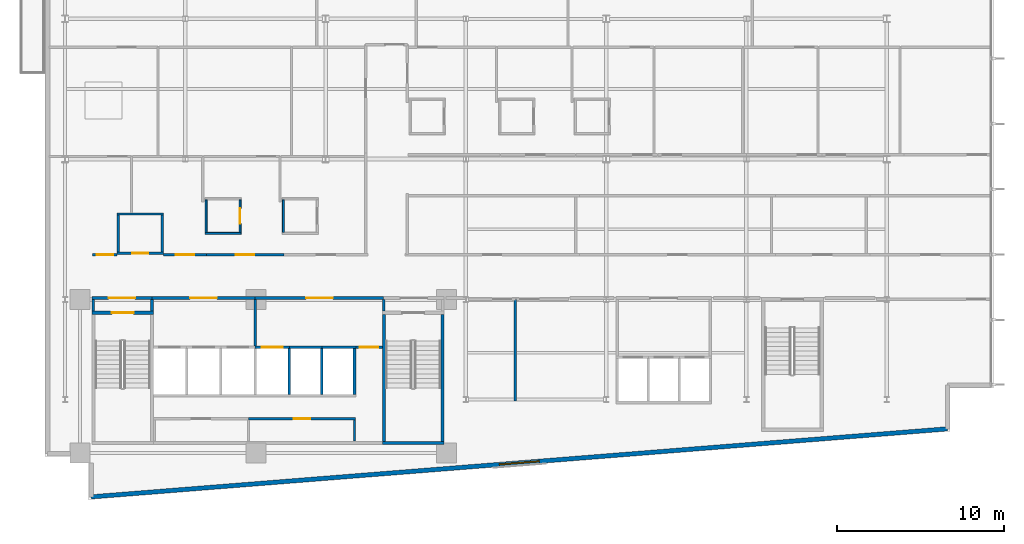
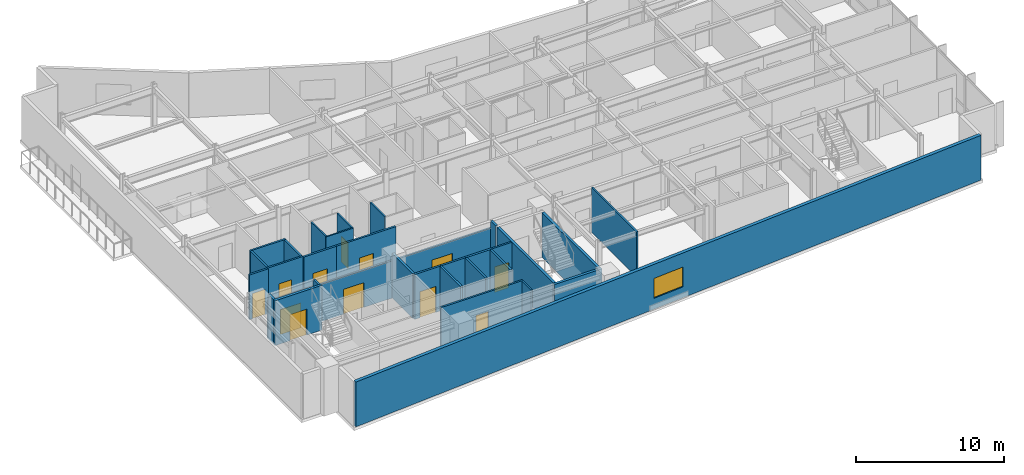
# One storey, part 10 of 19: 33 walls, 12 doors, 1 window, 13 openings.
"""IFC4 building model written with IfcOpenShell, lengths in metres."""

from ifc_helpers import new_model, si_unit, direction, frame, frame_2d, origin, place, context, subcontext, project, spatial, rectangle, extrude, material, layer, layer_set, type_object, element, fill, save


model = new_model("IFC4")

# Units and contexts
model_context = context("Model", 3, precision=1e-05, world=origin(), true_north=direction((0.0, 1.0)))
body_context = subcontext(model_context, "Body", "Model", "MODEL_VIEW")
ifc_project = project(units=[si_unit("LENGTHUNIT", "METRE"), si_unit("AREAUNIT", "SQUARE_METRE"), si_unit("VOLUMEUNIT", "CUBIC_METRE"), si_unit("PLANEANGLEUNIT", "RADIAN"), si_unit("MASSUNIT", "GRAM", prefix="KILO")], contexts=[model_context])

# Site, building, storey
site_placement = place(None, origin())
site = spatial("IfcSite", under=ifc_project, at=site_placement, CompositionType="ELEMENT")
building_placement = place(site_placement, origin())
building = spatial("IfcBuilding", under=site, at=building_placement, Name="Varnakote Quay Hospital", CompositionType="ELEMENT")
storey_placement = place(building_placement, frame((0.0, 0.0, 162.60009765625)))
storey = spatial("IfcBuildingStorey", under=building, at=storey_placement, Name="L40", CompositionType="ELEMENT", Elevation=162.60009765625)

# Wall
ifc_material_1 = material(Name="Fire-rated acoustic gypsum stud wall", Category="gypsum")
ifc_layer_1 = layer(ifc_material_1, 0.159912109375)
ifc_layer_set_1 = layer_set([ifc_layer_1], Name="Fire-rated acoustic gypsum stud wall")
wall_type_1 = type_object("IfcWallType", Name="WL-COMP-160", PredefinedType="PARTITIONING", material=ifc_layer_set_1)
wall_1_placement = place(storey_placement, frame((2.8798828125, 11.300048828125, 0.0), z_axis=(0.0, 0.0, 1.0), x_axis=(0.0, 1.0, 0.0)))
element("IfcWall", 1, at=wall_1_placement, inside=storey, type_object=wall_type_1, Name="L40 West Stair Vestibule West Wall", PredefinedType="PARTITIONING", context=body_context, shape_type="SweptSolid", body=[
    extrude(rectangle(XDim=0.699951171875, YDim=0.159912109375, at=frame_2d((0.35009765625, 0.0))), origin(), (0.0, 0.0, 1.0), 3.7099609375),
])

# Wall, opening, door
wall_2_placement = place(storey_placement, frame((2.800048828125, 12.080078125, 0.0), z_axis=(0.0, 0.0, 1.0), x_axis=(1.0, 0.0, 0.0)))
wall_2 = element("IfcWall", 2, at=wall_2_placement, inside=storey, type_object=wall_type_1, Name="L40 West Stair Vestibule Smoke Wall", PredefinedType="PARTITIONING", context=body_context, shape_type="SweptSolid", body=[
    extrude(rectangle(XDim=3.599853515625, YDim=0.159912109375, at=frame_2d((1.7998046875, 0.0))), origin(), (0.0, 0.0, 1.0), 3.0830078125),
])
opening_1_placement = place(wall_2_placement, frame((1.0, 0.0, 0.0)))
opening_1 = element("IfcOpeningElement", 3, at=opening_1_placement, cuts=wall_2, Name="Opening D-ST1L-L40", PredefinedType="OPENING", context=body_context, shape_type="SweptSolid", body=[
    extrude(rectangle(XDim=1.60009765625, YDim=2.050048828125, at=frame_2d((0.800048828125, 1.02490234375))), frame((0.0, 0.08984375, 0.0), z_axis=(0.0, -1.0, 0.0), x_axis=(1.0, 0.0, 0.0)), (0.0, 0.0, 1.0), 0.179931640625),
])
ifc_material_2 = material(Name="Fire-rated double smoke lobby door")
door_type_1 = type_object("IfcDoorType", Name="DR-LOBBY-FD60S-1600x2150", OperationType="NOTDEFINED", PredefinedType="DOOR", material=ifc_material_2)
door_1_placement = place(opening_1_placement, origin())
door_1 = element("IfcDoor", 4, at=door_1_placement, inside=storey, type_object=door_type_1, Name="L40 West Stair Vestibule Smoke Door", OperationType="DOUBLE_DOOR_SINGLE_SWING", OverallHeight=2.050048828125, OverallWidth=1.60009765625, PredefinedType="DOOR", context=body_context, shape_type="SweptSolid", body=[
    extrude(rectangle(XDim=1.60009765625, YDim=2.050048828125, at=frame_2d((0.800048828125, 1.02490234375))), frame((0.0, 0.02490234375, 0.0), z_axis=(0.0, -1.0, 0.0), x_axis=(1.0, 0.0, 0.0)), (0.0, 0.0, 1.0), 0.050048828125),
])
fill(opening_1, door_1)

# Wall
wall_3_placement = place(storey_placement, frame((6.39990234375, 11.300048828125, 0.0), z_axis=(0.0, 0.0, 1.0), x_axis=(0.0, 1.0, 0.0)))
element("IfcWall", 5, at=wall_3_placement, inside=storey, type_object=wall_type_1, Name="L40 Firefighting Lobby West Wall", PredefinedType="PARTITIONING", context=body_context, shape_type="SweptSolid", body=[
    extrude(rectangle(XDim=0.699951171875, YDim=0.159912109375, at=frame_2d((0.35009765625, 0.0))), origin(), (0.0, 0.0, 1.0), 3.7099609375),
])

# Wall, opening, door
wall_4_placement = place(storey_placement, frame((6.39990234375, 12.080078125, 0.0), z_axis=(0.0, 0.0, 1.0), x_axis=(1.0, 0.0, 0.0)))
wall_4 = element("IfcWall", 6, at=wall_4_placement, inside=storey, type_object=wall_type_1, Name="L40 Firefighting Lift Lobby Compartment Wall", PredefinedType="PARTITIONING", context=body_context, shape_type="SweptSolid", body=[
    extrude(rectangle(XDim=6.18017578125, YDim=0.159912109375, at=frame_2d((3.090087890625, 0.0))), origin(), (0.0, 0.0, 1.0), 3.0830078125),
])
opening_2_placement = place(wall_4_placement, frame((2.2900390625, 0.0, 0.0)))
opening_2 = element("IfcOpeningElement", 7, at=opening_2_placement, cuts=wall_4, Name="Opening D-FFL-L40", PredefinedType="OPENING", context=body_context, shape_type="SweptSolid", body=[
    extrude(rectangle(XDim=1.60009765625, YDim=2.050048828125, at=frame_2d((0.800048828125, 1.02490234375))), frame((0.0, 0.08984375, 0.0), z_axis=(0.0, -1.0, 0.0), x_axis=(1.0, 0.0, 0.0)), (0.0, 0.0, 1.0), 0.179931640625),
])
door_2_placement = place(opening_2_placement, origin())
door_2 = element("IfcDoor", 8, at=door_2_placement, inside=storey, type_object=door_type_1, Name="L40 Firefighting Smoke Vestibule Door", OperationType="DOUBLE_DOOR_SINGLE_SWING", OverallHeight=2.050048828125, OverallWidth=1.60009765625, PredefinedType="DOOR", context=body_context, shape_type="SweptSolid", body=[
    extrude(rectangle(XDim=1.60009765625, YDim=2.050048828125, at=frame_2d((0.800048828125, 1.02490234375))), frame((0.0, 0.02490234375, 0.0), z_axis=(0.0, -1.0, 0.0), x_axis=(1.0, 0.0, 0.0)), (0.0, 0.0, 1.0), 0.050048828125),
])
fill(opening_2, door_2)

# Wall
wall_5_placement = place(storey_placement, frame((12.580078125, 9.2099609375, 0.0), z_axis=(0.0, 0.0, 1.0), x_axis=(0.0, 1.0, 0.0)))
element("IfcWall", 9, at=wall_5_placement, inside=storey, type_object=wall_type_1, Name="L40 Firefighting to Service Lobby Wall", PredefinedType="PARTITIONING", context=body_context, shape_type="SweptSolid", body=[
    extrude(rectangle(XDim=2.7900390625, YDim=0.159912109375, at=frame_2d((1.39501953125, 0.0))), origin(), (0.0, 0.0, 1.0), 3.7099609375),
])

# Wall, opening, door
wall_6_placement = place(storey_placement, frame((12.580078125, 12.080078125, 0.0), z_axis=(0.0, 0.0, 1.0), x_axis=(1.0, 0.0, 0.0)))
wall_6 = element("IfcWall", 10, at=wall_6_placement, inside=storey, type_object=wall_type_1, Name="L40 Clinical Bed Lift Lobby Wall", PredefinedType="PARTITIONING", context=body_context, shape_type="SweptSolid", body=[
    extrude(rectangle(XDim=7.699951171875, YDim=0.159912109375, at=frame_2d((3.85009765625, 0.0))), origin(), (0.0, 0.0, 1.0), 3.0830078125),
])
opening_3_placement = place(wall_6_placement, frame((3.050048828125, 0.0, 0.0)))
opening_3 = element("IfcOpeningElement", 11, at=opening_3_placement, cuts=wall_6, Name="Opening D-SVL-L40", PredefinedType="OPENING", context=body_context, shape_type="SweptSolid", body=[
    extrude(rectangle(XDim=1.60009765625, YDim=2.050048828125, at=frame_2d((0.800048828125, 1.02490234375))), frame((0.0, 0.08984375, 0.0), z_axis=(0.0, -1.0, 0.0), x_axis=(1.0, 0.0, 0.0)), (0.0, 0.0, 1.0), 0.179931640625),
])
door_3_placement = place(opening_3_placement, origin())
door_3 = element("IfcDoor", 12, at=door_3_placement, inside=storey, type_object=door_type_1, Name="L40 Clinical Core Smoke Vestibule Door", OperationType="DOUBLE_DOOR_SINGLE_SWING", OverallHeight=2.050048828125, OverallWidth=1.60009765625, PredefinedType="DOOR", context=body_context, shape_type="SweptSolid", body=[
    extrude(rectangle(XDim=1.60009765625, YDim=2.050048828125, at=frame_2d((0.800048828125, 1.02490234375))), frame((0.0, 0.02490234375, 0.0), z_axis=(0.0, -1.0, 0.0), x_axis=(1.0, 0.0, 0.0)), (0.0, 0.0, 1.0), 0.050048828125),
])
fill(opening_3, door_3)

# Walls
wall_7_placement = place(storey_placement, frame((20.280029296875, 11.300048828125, 0.0), z_axis=(0.0, 0.0, 1.0), x_axis=(0.0, 1.0, 0.0)))
element("IfcWall", 13, at=wall_7_placement, inside=storey, type_object=wall_type_1, Name="L40 East Stair Vestibule Divider Wall", PredefinedType="PARTITIONING", context=body_context, shape_type="SweptSolid", body=[
    extrude(rectangle(XDim=0.699951171875, YDim=0.159912109375, at=frame_2d((0.35009765625, 0.0))), origin(), (0.0, 0.0, 1.0), 3.7099609375),
])
ifc_material_3 = material(Name="Moisture-resistant bathroom partition", Category="gypsum")
ifc_layer_2 = layer(ifc_material_3, 0.114990234375)
ifc_layer_set_2 = layer_set([ifc_layer_2], Name="Moisture-resistant bathroom partition")
wall_type_2 = type_object("IfcWallType", Name="WL-ENS-115", PredefinedType="PARTITIONING", material=ifc_layer_set_2)
wall_8_placement = place(storey_placement, frame((9.5849609375, 15.952392578125, 0.0), z_axis=(0.0, 0.0, 1.0), x_axis=(1.0, 0.0, 0.0)))
element("IfcWall", 14, at=wall_8_placement, inside=storey, type_object=wall_type_2, Name="L40 Inpatient En-Suite Bathroom 01 S Wall", PredefinedType="PARTITIONING", context=body_context, shape_type="SweptSolid", body=[
    extrude(rectangle(XDim=2.150146484375, YDim=0.114990234375, at=frame_2d((1.0751953125, 0.0))), origin(), (0.0, 0.0, 1.0), 3.7099609375),
])
wall_9_placement = place(storey_placement, frame((9.642578125, 16.010009765625, 0.0), z_axis=(0.0, 0.0, 1.0), x_axis=(0.0, 1.0, 0.0)))
element("IfcWall", 15, at=wall_9_placement, inside=storey, type_object=wall_type_2, Name="L40 Inpatient En-Suite Bathroom 01 W Wall", PredefinedType="PARTITIONING", context=body_context, shape_type="SweptSolid", body=[
    extrude(rectangle(XDim=1.949951171875, YDim=0.114990234375, at=frame_2d((0.97509765625, 0.0))), origin(), (0.0, 0.0, 1.0), 3.7099609375),
])

# Wall, opening, door
wall_10_placement = place(storey_placement, frame((11.677490234375, 16.010009765625, 0.0), z_axis=(0.0, 0.0, 1.0), x_axis=(0.0, 1.0, 0.0)))
wall_10 = element("IfcWall", 16, at=wall_10_placement, inside=storey, type_object=wall_type_2, Name="L40 Inpatient En-Suite Bathroom 01 E Wall", PredefinedType="PARTITIONING", context=body_context, shape_type="SweptSolid", body=[
    extrude(rectangle(XDim=1.949951171875, YDim=0.114990234375, at=frame_2d((0.97509765625, 0.0))), origin(), (0.0, 0.0, 1.0), 3.7099609375),
])
opening_4_placement = place(wall_10_placement, frame((0.514892578125, 0.0, 0.0)))
opening_4 = element("IfcOpeningElement", 17, at=opening_4_placement, cuts=wall_10, Name="Opening D-L40-ENS01", PredefinedType="OPENING", context=body_context, shape_type="SweptSolid", body=[
    extrude(rectangle(XDim=0.919921875, YDim=2.10009765625, at=frame_2d((0.4599609375, 1.050048828125))), frame((0.0, 0.0673828125, 0.0), z_axis=(0.0, -1.0, 0.0), x_axis=(1.0, 0.0, 0.0)), (0.0, 0.0, 1.0), 0.135009765625),
])
ifc_material_4 = material(Name="Moisture-sealed en-suite bathroom door")
door_type_2 = type_object("IfcDoorType", Name="DR-ENS-920x2100", OperationType="NOTDEFINED", PredefinedType="DOOR", material=ifc_material_4)
door_4_placement = place(opening_4_placement, origin())
door_4 = element("IfcDoor", 18, at=door_4_placement, inside=storey, type_object=door_type_2, Name="L40 Inpatient En-Suite Bathroom 01 Door", OperationType="SINGLE_SWING_LEFT", OverallHeight=2.10009765625, OverallWidth=0.919921875, PredefinedType="DOOR", context=body_context, shape_type="SweptSolid", body=[
    extrude(rectangle(XDim=0.919921875, YDim=2.10009765625, at=frame_2d((0.4599609375, 1.050048828125))), frame((0.0, 0.02490234375, 0.0), z_axis=(0.0, -1.0, 0.0), x_axis=(1.0, 0.0, 0.0)), (0.0, 0.0, 1.0), 0.050048828125),
])
fill(opening_4, door_4)

# Wall
wall_11_placement = place(storey_placement, frame((14.2724609375, 16.010009765625, 0.0), z_axis=(0.0, 0.0, 1.0), x_axis=(0.0, 1.0, 0.0)))
element("IfcWall", 19, at=wall_11_placement, inside=storey, type_object=wall_type_2, Name="L40 Inpatient En-Suite Bathroom 02 W Wall", PredefinedType="PARTITIONING", context=body_context, shape_type="SweptSolid", body=[
    extrude(rectangle(XDim=1.949951171875, YDim=0.114990234375, at=frame_2d((0.97509765625, 0.0))), origin(), (0.0, 0.0, 1.0), 3.7099609375),
])

# Wall, opening, window
ifc_material_5 = material(Name="Precast concrete N50 (f'c 50 MPa)", Category="concrete")
ifc_layer_3 = layer(ifc_material_5, 0.260009765625)
ifc_layer_set_3 = layer_set([ifc_layer_3], Name="Precast concrete N50 (f'c 50 MPa)")
wall_type_3 = type_object("IfcWallType", Name="WL-EXT-BRICK-260", PredefinedType="STANDARD", material=ifc_layer_set_3)
wall_12_placement = place(storey_placement, frame((2.760009765625, 0.173095703125, 0.0), z_axis=(0.0, 0.0, 1.0), x_axis=(0.996857931723, 0.079210251617, 0.0)))
wall_12 = element("IfcWall", 20, at=wall_12_placement, inside=storey, type_object=wall_type_3, Name="L40 Brick-Faced Precast Exterior Wall", PredefinedType="STANDARD", context=body_context, shape_type="SweptSolid", body=[
    extrude(rectangle(XDim=51.441650390625, YDim=0.260009765625, at=frame_2d((25.720703125, 0.0))), origin(), (0.0, 0.0, 1.0), 3.7099609375),
])
opening_5_placement = place(wall_12_placement, frame((24.520751953125, 0.0, 0.89990234375)))
opening_5 = element("IfcOpeningElement", 21, at=opening_5_placement, cuts=wall_12, Name="Opening WN-0170", PredefinedType="OPENING", context=body_context, shape_type="SweptSolid", body=[
    extrude(rectangle(XDim=2.39990234375, YDim=1.64990234375, at=frame_2d((1.199951171875, 0.824951171875))), frame((0.0, 0.139892578125, 0.0), z_axis=(0.0, -1.0, 0.0), x_axis=(1.0, 0.0, 0.0)), (0.0, 0.0, 1.0), 0.280029296875),
])
ifc_material_6 = material(Name="Double-glazed low-E solar glass", Category="glass")
window_type = type_object("IfcWindowType", Name="WIN-CLIN-2400x1650", PartitioningType="SINGLE_PANEL", PredefinedType="WINDOW", material=ifc_material_6)
window_placement = place(opening_5_placement, origin())
window = element("IfcWindow", 22, at=window_placement, inside=storey, type_object=window_type, Name="L40 Solar-Control Clinical Window", OverallHeight=1.64990234375, OverallWidth=2.39990234375, PartitioningType="SINGLE_PANEL", PredefinedType="WINDOW", context=body_context, shape_type="SweptSolid", body=[
    extrude(rectangle(XDim=2.39990234375, YDim=1.64990234375, at=frame_2d((1.199951171875, 0.824951171875))), frame((0.0, 0.030029296875, 0.0), z_axis=(0.0, -1.0, 0.0), x_axis=(1.0, 0.0, 0.0)), (0.0, 0.0, 1.0), 0.06005859375),
])
fill(opening_5, window)

# Walls
ifc_material_7 = material(Name="Concrete N50 (f'c 50 MPa)", Category="concrete")
ifc_layer_4 = layer(ifc_material_7, 0.14990234375)
ifc_layer_set_4 = layer_set([ifc_layer_4], Name="Concrete N50 (f'c 50 MPa)")
wall_type_4 = type_object("IfcWallType", Name="WL-SHAFT-N50-150", PredefinedType="SHEAR", material=ifc_layer_set_4)
for number, where, z_axis, x_axis, name in (
    (23, (14.625, 6.300048828125, 0.0), (0.0, 0.0, 1.0), (0.0, 1.0, 0.0), "L40 LF-SV2 Hoistway Divider Wall"),
    (24, (16.574951171875, 6.300048828125, 0.0), (0.0, 0.0, 1.0), (0.0, 1.0, 0.0), "L40 LF-PH1 Hoistway Divider Wall"),
):
    element("IfcWall", number, at=place(storey_placement, frame(where, z_axis=z_axis, x_axis=x_axis)), inside=storey, type_object=wall_type_4, Name=name, PredefinedType="SHEAR", context=body_context, shape_type="SweptSolid", body=[
        extrude(rectangle(XDim=2.75, YDim=0.14990234375, at=frame_2d((1.375, 0.0))), origin(), (0.0, 0.0, 1.0), 3.7099609375),
    ])
ifc_material_8 = material(Name="Concrete N50 (f'c 50 MPa)", Category="concrete")
ifc_layer_5 = layer(ifc_material_8, 0.159912109375)
ifc_layer_set_5 = layer_set([ifc_layer_5], Name="Concrete N50 (f'c 50 MPa)")
wall_type_5 = type_object("IfcWallType", Name="WL-SHAFT-N50-160", PredefinedType="SHEAR", material=ifc_layer_set_5)
wall_13_placement = place(storey_placement, frame((18.530029296875, 6.300048828125, 0.0), z_axis=(0.0, 0.0, 1.0), x_axis=(0.0, 1.0, 0.0)))
element("IfcWall", 25, at=wall_13_placement, inside=storey, type_object=wall_type_5, Name="L40 REAR Lift Bank East Shear Wall", PredefinedType="SHEAR", context=body_context, shape_type="SweptSolid", body=[
    extrude(rectangle(XDim=2.75, YDim=0.159912109375, at=frame_2d((1.375, 0.0))), origin(), (0.0, 0.0, 1.0), 3.7099609375),
])

# Wall, opening, door
wall_14_placement = place(storey_placement, frame((12.574951171875, 9.1298828125, 0.0), z_axis=(0.0, 0.0, 1.0), x_axis=(1.0, 0.0, 0.0)))
wall_14 = element("IfcWall", 26, at=wall_14_placement, inside=storey, type_object=wall_type_5, Name="L40 LF-SV2 Hoistway Front Wall", PredefinedType="SHEAR", context=body_context, shape_type="SweptSolid", body=[
    extrude(rectangle(XDim=2.050048828125, YDim=0.159912109375, at=frame_2d((1.02490234375, 0.0))), origin(), (0.0, 0.0, 1.0), 3.7099609375),
])
opening_6_placement = place(wall_14_placement, frame((0.39990234375, 0.0, 0.0)))
opening_6 = element("IfcOpeningElement", 27, at=opening_6_placement, cuts=wall_14, Name="Opening LD-SV2-L40", PredefinedType="OPENING", context=body_context, shape_type="SweptSolid", body=[
    extrude(rectangle(XDim=1.25, YDim=2.14990234375, at=frame_2d((0.625, 1.074951171875))), frame((0.0, 0.08984375, 0.0), z_axis=(0.0, -1.0, 0.0), x_axis=(1.0, 0.0, 0.0)), (0.0, 0.0, 1.0), 0.179931640625),
])
ifc_material_9 = material(Name="Stainless steel lift landing sliding door", Category="steel")
door_type_3 = type_object("IfcDoorType", Name="DR-LIFT-LD-1250x2150", OperationType="NOTDEFINED", PredefinedType="DOOR", material=ifc_material_9)
door_5_placement = place(opening_6_placement, origin())
door_5 = element("IfcDoor", 28, at=door_5_placement, inside=storey, type_object=door_type_3, Name="L40 LF-SV2 Lift Landing Sliding Door", OperationType="SLIDING_TO_LEFT", OverallHeight=2.14990234375, OverallWidth=1.25, PredefinedType="DOOR", context=body_context, shape_type="SweptSolid", body=[
    extrude(rectangle(XDim=1.25, YDim=2.14990234375, at=frame_2d((0.625, 1.074951171875))), frame((0.0, 0.02490234375, 0.0), z_axis=(0.0, -1.0, 0.0), x_axis=(1.0, 0.0, 0.0)), (0.0, 0.0, 1.0), 0.050048828125),
])
fill(opening_6, door_5)

# Walls
wall_15_placement = place(storey_placement, frame((14.625, 9.1298828125, 0.0), z_axis=(0.0, 0.0, 1.0), x_axis=(1.0, 0.0, 0.0)))
element("IfcWall", 29, at=wall_15_placement, inside=storey, type_object=wall_type_5, Name="L40 LF-PH1 Hoistway Front Wall", PredefinedType="SHEAR", context=body_context, shape_type="SweptSolid", body=[
    extrude(rectangle(XDim=1.949951171875, YDim=0.159912109375, at=frame_2d((0.97509765625, 0.0))), origin(), (0.0, 0.0, 1.0), 3.7099609375),
])
wall_16_placement = place(storey_placement, frame((16.574951171875, 9.1298828125, 0.0), z_axis=(0.0, 0.0, 1.0), x_axis=(1.0, 0.0, 0.0)))
element("IfcWall", 30, at=wall_16_placement, inside=storey, type_object=wall_type_5, Name="L40 LF-PH2 Hoistway Front Wall", PredefinedType="SHEAR", context=body_context, shape_type="SweptSolid", body=[
    extrude(rectangle(XDim=2.03515625, YDim=0.159912109375, at=frame_2d((1.017578125, 0.0))), origin(), (0.0, 0.0, 1.0), 3.7099609375),
])

# Wall, opening, door
ifc_material_10 = material(Name="Concrete N50 (f'c 50 MPa)", Category="concrete")
ifc_layer_6 = layer(ifc_material_10, 0.199951171875)
ifc_layer_set_6 = layer_set([ifc_layer_6], Name="Concrete N50 (f'c 50 MPa)")
wall_type_6 = type_object("IfcWallType", Name="WL-SHAFT-N50-200", PredefinedType="SHEAR", material=ifc_layer_set_6)
wall_17_placement = place(storey_placement, frame((2.800048828125, 11.199951171875, 0.0), z_axis=(0.0, 0.0, 1.0), x_axis=(1.0, 0.0, 0.0)))
wall_17 = element("IfcWall", 31, at=wall_17_placement, inside=storey, type_object=wall_type_6, Name="L40 Stair ST1 Exit Wall", PredefinedType="SHEAR", context=body_context, shape_type="SweptSolid", body=[
    extrude(rectangle(XDim=3.699951171875, YDim=0.199951171875, at=frame_2d((1.85009765625, 0.0))), origin(), (0.0, 0.0, 1.0), 3.7099609375),
])
opening_7_placement = place(wall_17_placement, frame((1.199951171875, 0.0, 0.0)))
opening_7 = element("IfcOpeningElement", 32, at=opening_7_placement, cuts=wall_17, Name="Opening D-ST1-L40", PredefinedType="OPENING", context=body_context, shape_type="SweptSolid", body=[
    extrude(rectangle(XDim=1.300048828125, YDim=2.14990234375, at=frame_2d((0.64990234375, 1.074951171875))), frame((0.0, 0.10986328125, 0.0), z_axis=(0.0, -1.0, 0.0), x_axis=(1.0, 0.0, 0.0)), (0.0, 0.0, 1.0), 0.219970703125),
])
ifc_material_11 = material(Name="Fire-rated ceramic-glazed timber exit door", Category="wood")
door_type_4 = type_object("IfcDoorType", Name="DR-STAIR-FD60S-1300x2150", OperationType="NOTDEFINED", PredefinedType="DOOR", material=ifc_material_11)
door_6_placement = place(opening_7_placement, origin())
door_6 = element("IfcDoor", 33, at=door_6_placement, inside=storey, type_object=door_type_4, Name="L40 Stair ST1 Fire Exit Door", OperationType="SINGLE_SWING_RIGHT", OverallHeight=2.14990234375, OverallWidth=1.300048828125, PredefinedType="DOOR", context=body_context, shape_type="SweptSolid", body=[
    extrude(rectangle(XDim=1.300048828125, YDim=2.14990234375, at=frame_2d((0.64990234375, 1.074951171875))), frame((0.0, 0.02490234375, 0.0), z_axis=(0.0, -1.0, 0.0), x_axis=(1.0, 0.0, 0.0)), (0.0, 0.0, 1.0), 0.050048828125),
])
fill(opening_7, door_6)

# Walls
wall_18_placement = place(storey_placement, frame((20.199951171875, 3.39990234375, 0.0), z_axis=(0.0, 0.0, 1.0), x_axis=(1.0, 0.0, 0.0)))
element("IfcWall", 34, at=wall_18_placement, inside=storey, type_object=wall_type_6, Name="L40 Stair ST2 South Shaft Wall", PredefinedType="SHEAR", context=body_context, shape_type="SweptSolid", body=[
    extrude(rectangle(XDim=3.699951171875, YDim=0.199951171875, at=frame_2d((1.85009765625, 0.0))), origin(), (0.0, 0.0, 1.0), 3.7099609375),
])
for number, where, z_axis, x_axis, name in (
    (35, (20.300048828125, 3.5, 0.0), (0.0, 0.0, 1.0), (0.0, 1.0, 0.0), "L40 Stair ST2 West Shaft Wall"),
    (36, (23.800048828125, 3.5, 0.0), (0.0, 0.0, 1.0), (0.0, 1.0, 0.0), "L40 Stair ST2 East Shaft Wall"),
):
    element("IfcWall", number, at=place(storey_placement, frame(where, z_axis=z_axis, x_axis=x_axis)), inside=storey, type_object=wall_type_6, Name=name, PredefinedType="SHEAR", context=body_context, shape_type="SweptSolid", body=[
        extrude(rectangle(XDim=7.60009765625, YDim=0.199951171875, at=frame_2d((3.800048828125, 0.0))), origin(), (0.0, 0.0, 1.0), 3.7099609375),
    ])
ifc_material_12 = material(Name="Smoke-proof clinical partition", Category="gypsum")
ifc_layer_7 = layer(ifc_material_12, 0.1201171875)
ifc_layer_set_7 = layer_set([ifc_layer_7], Name="Smoke-proof clinical partition")
wall_type_7 = type_object("IfcWallType", Name="WL-SMOKE-120", PredefinedType="PARTITIONING", material=ifc_layer_set_7)
wall_19_placement = place(storey_placement, frame((18.5400390625, 3.52001953125, 0.0), z_axis=(0.0, 0.0, 1.0), x_axis=(0.0, 1.0, 0.0)))
element("IfcWall", 37, at=wall_19_placement, inside=storey, type_object=wall_type_7, Name="L40 Core South Service East Wall", PredefinedType="PARTITIONING", context=body_context, shape_type="SweptSolid", body=[
    extrude(rectangle(XDim=1.260009765625, YDim=0.1201171875, at=frame_2d((0.6298828125, 0.0))), origin(), (0.0, 0.0, 1.0), 3.7099609375),
])
ifc_material_13 = material(Name="Smoke-proof clinical partition", Category="gypsum")
ifc_layer_8 = layer(ifc_material_13, 0.135009765625)
ifc_layer_set_8 = layer_set([ifc_layer_8], Name="Smoke-proof clinical partition")
wall_type_8 = type_object("IfcWallType", Name="WL-SMOKE-135", PredefinedType="PARTITIONING", material=ifc_layer_set_8)
wall_20_placement = place(storey_placement, frame((28.159912109375, 5.89990234375, 0.0), z_axis=(0.0, 0.0, 1.0), x_axis=(0.0, 1.0, 0.0)))
element("IfcWall", 38, at=wall_20_placement, inside=storey, type_object=wall_type_8, Name="L40 Clinical Interior Partition", PredefinedType="PARTITIONING", context=body_context, shape_type="SweptSolid", body=[
    extrude(rectangle(XDim=6.10009765625, YDim=0.135009765625, at=frame_2d((3.050048828125, 0.0))), origin(), (0.0, 0.0, 1.0), 3.7099609375),
])

# Wall, opening, door
ifc_material_14 = material(Name="Fire-rated clinical gypsum partition", Category="gypsum")
ifc_layer_9 = layer(ifc_material_14, 0.139892578125)
ifc_layer_set_9 = layer_set([ifc_layer_9], Name="Fire-rated clinical gypsum partition")
wall_type_9 = type_object("IfcWallType", Name="WL-WARD-140", PredefinedType="PARTITIONING", material=ifc_layer_set_9)
wall_21_placement = place(storey_placement, frame((12.169921875, 4.85009765625, 0.0), z_axis=(0.0, 0.0, 1.0), x_axis=(1.0, 0.0, 0.0)))
wall_21 = element("IfcWall", 39, at=wall_21_placement, inside=storey, type_object=wall_type_9, Name="L40 Core Staff Sanitary WC North Wall", PredefinedType="PARTITIONING", context=body_context, shape_type="SweptSolid", body=[
    extrude(rectangle(XDim=6.43017578125, YDim=0.139892578125, at=frame_2d((3.215087890625, 0.0))), origin(), (0.0, 0.0, 1.0), 3.7099609375),
])
opening_8_placement = place(wall_21_placement, frame((2.72509765625, 0.0, 0.0)))
opening_8 = element("IfcOpeningElement", 40, at=opening_8_placement, cuts=wall_21, Name="Opening D-L40-CR02", PredefinedType="OPENING", context=body_context, shape_type="SweptSolid", body=[
    extrude(rectangle(XDim=0.97998046875, YDim=2.10009765625, at=frame_2d((0.489990234375, 1.050048828125))), frame((0.0, 0.079833984375, 0.0), z_axis=(0.0, -1.0, 0.0), x_axis=(1.0, 0.0, 0.0)), (0.0, 0.0, 1.0), 0.159912109375),
])
ifc_material_15 = material(Name="Accessible sanitary compartment door")
door_type_5 = type_object("IfcDoorType", Name="DR-WC-980x2100", OperationType="NOTDEFINED", PredefinedType="DOOR", material=ifc_material_15)
door_7_placement = place(opening_8_placement, origin())
door_7 = element("IfcDoor", 41, at=door_7_placement, inside=storey, type_object=door_type_5, Name="L40 Core Staff Sanitary WC Door", OperationType="SINGLE_SWING_RIGHT", OverallHeight=2.10009765625, OverallWidth=0.97998046875, PredefinedType="DOOR", context=body_context, shape_type="SweptSolid", body=[
    extrude(rectangle(XDim=0.97998046875, YDim=2.10009765625, at=frame_2d((0.489990234375, 1.050048828125))), frame((0.0, 0.02490234375, 0.0), z_axis=(0.0, -1.0, 0.0), x_axis=(1.0, 0.0, 0.0)), (0.0, 0.0, 1.0), 0.050048828125),
])
fill(opening_8, door_7)

wall_22_placement = place(storey_placement, frame((18.610107421875, 9.1298828125, 0.0), z_axis=(0.0, 0.0, 1.0), x_axis=(1.0, 0.0, 0.0)))
wall_22 = element("IfcWall", 42, at=wall_22_placement, inside=storey, type_object=wall_type_9, Name="L40 Core Service Corridor North Door Wall", PredefinedType="PARTITIONING", context=body_context, shape_type="SweptSolid", body=[
    extrude(rectangle(XDim=1.58984375, YDim=0.139892578125, at=frame_2d((0.794921875, 0.0))), origin(), (0.0, 0.0, 1.0), 3.7099609375),
])
opening_9_placement = place(wall_22_placement, frame((0.239990234375, 0.0, 0.0)))
opening_9 = element("IfcOpeningElement", 43, at=opening_9_placement, cuts=wall_22, Name="Opening D-CSRV-L40", PredefinedType="OPENING", context=body_context, shape_type="SweptSolid", body=[
    extrude(rectangle(XDim=1.10009765625, YDim=2.10009765625, at=frame_2d((0.550048828125, 1.050048828125))), frame((0.0, 0.079833984375, 0.0), z_axis=(0.0, -1.0, 0.0), x_axis=(1.0, 0.0, 0.0)), (0.0, 0.0, 1.0), 0.159912109375),
])
ifc_material_16 = material(Name="Acoustic timber clinical consult door", Category="wood")
door_type_6 = type_object("IfcDoorType", Name="DR-CLIN-FD30S-1100x2100", OperationType="NOTDEFINED", PredefinedType="DOOR", material=ifc_material_16)
door_8_placement = place(opening_9_placement, origin())
door_8 = element("IfcDoor", 44, at=door_8_placement, inside=storey, type_object=door_type_6, Name="L40 Core Service Corridor Door", OperationType="SINGLE_SWING_LEFT", OverallHeight=2.10009765625, OverallWidth=1.10009765625, PredefinedType="DOOR", context=body_context, shape_type="SweptSolid", body=[
    extrude(rectangle(XDim=1.10009765625, YDim=2.10009765625, at=frame_2d((0.550048828125, 1.050048828125))), frame((0.0, 0.02490234375, 0.0), z_axis=(0.0, -1.0, 0.0), x_axis=(1.0, 0.0, 0.0)), (0.0, 0.0, 1.0), 0.050048828125),
])
fill(opening_9, door_8)

wall_23_placement = place(storey_placement, frame((4.31005859375, 14.77001953125, 0.0), z_axis=(0.0, 0.0, 1.0), x_axis=(1.0, 0.0, 0.0)))
wall_23 = element("IfcWall", 45, at=wall_23_placement, inside=storey, type_object=wall_type_9, Name="L40 Floor Unisex Accessible WC S Wall", PredefinedType="PARTITIONING", context=body_context, shape_type="SweptSolid", body=[
    extrude(rectangle(XDim=2.780029296875, YDim=0.139892578125, at=frame_2d((1.39013671875, 0.0))), origin(), (0.0, 0.0, 1.0), 3.7099609375),
])
opening_10_placement = place(wall_23_placement, frame((0.89990234375, 0.0, 0.0)))
opening_10 = element("IfcOpeningElement", 46, at=opening_10_placement, cuts=wall_23, Name="Opening D-L40-EW01", PredefinedType="OPENING", context=body_context, shape_type="SweptSolid", body=[
    extrude(rectangle(XDim=0.97998046875, YDim=2.10009765625, at=frame_2d((0.489990234375, 1.050048828125))), frame((0.0, 0.079833984375, 0.0), z_axis=(0.0, -1.0, 0.0), x_axis=(1.0, 0.0, 0.0)), (0.0, 0.0, 1.0), 0.159912109375),
])
door_9_placement = place(opening_10_placement, origin())
door_9 = element("IfcDoor", 47, at=door_9_placement, inside=storey, type_object=door_type_5, Name="L40 Floor Unisex Accessible WC Door", OperationType="SINGLE_SWING_RIGHT", OverallHeight=2.10009765625, OverallWidth=0.97998046875, PredefinedType="DOOR", context=body_context, shape_type="SweptSolid", body=[
    extrude(rectangle(XDim=0.97998046875, YDim=2.10009765625, at=frame_2d((0.489990234375, 1.050048828125))), frame((0.0, 0.02490234375, 0.0), z_axis=(0.0, -1.0, 0.0), x_axis=(1.0, 0.0, 0.0)), (0.0, 0.0, 1.0), 0.050048828125),
])
fill(opening_10, door_9)

# Walls
wall_24_placement = place(storey_placement, frame((4.31005859375, 17.110107421875, 0.0), z_axis=(0.0, 0.0, 1.0), x_axis=(1.0, 0.0, 0.0)))
element("IfcWall", 48, at=wall_24_placement, inside=storey, type_object=wall_type_9, Name="L40 Floor Unisex Accessible WC N Wall", PredefinedType="PARTITIONING", context=body_context, shape_type="SweptSolid", body=[
    extrude(rectangle(XDim=2.780029296875, YDim=0.139892578125, at=frame_2d((1.39013671875, 0.0))), origin(), (0.0, 0.0, 1.0), 3.7099609375),
])
for number, where, z_axis, x_axis, name in (
    (49, (4.3798828125, 14.840087890625, 0.0), (0.0, 0.0, 1.0), (0.0, 1.0, 0.0), "L40 Floor Unisex Accessible WC W Wall"),
    (50, (7.02001953125, 14.840087890625, 0.0), (0.0, 0.0, 1.0), (0.0, 1.0, 0.0), "L40 Floor Unisex Accessible WC E Wall"),
):
    element("IfcWall", number, at=place(storey_placement, frame(where, z_axis=z_axis, x_axis=x_axis)), inside=storey, type_object=wall_type_9, Name=name, PredefinedType="PARTITIONING", context=body_context, shape_type="SweptSolid", body=[
        extrude(rectangle(XDim=2.199951171875, YDim=0.139892578125, at=frame_2d((1.10009765625, 0.0))), origin(), (0.0, 0.0, 1.0), 3.7099609375),
    ])

# Wall, opening, door
ifc_material_17 = material(Name="Fire-rated clinical gypsum partition", Category="gypsum")
ifc_layer_10 = layer(ifc_material_17, 0.14990234375)
ifc_layer_set_10 = layer_set([ifc_layer_10], Name="Fire-rated clinical gypsum partition")
wall_type_10 = type_object("IfcWallType", Name="WL-WARD-150", PredefinedType="PARTITIONING", material=ifc_layer_set_10)
wall_25_placement = place(storey_placement, frame((4.30810546875, 14.679931640625, 0.0), z_axis=(0.0, 0.0, 1.0), x_axis=(-1.0, 0.0, 0.0)))
wall_25 = element("IfcWall", 51, at=wall_25_placement, inside=storey, type_object=wall_type_10, Name="L40 Clinical Interior Partition", PredefinedType="PARTITIONING", context=body_context, shape_type="SweptSolid", body=[
    extrude(rectangle(XDim=1.4580078125, YDim=0.14990234375, at=frame_2d((0.72900390625, 0.0))), origin(), (0.0, 0.0, 1.0), 3.7099609375),
])
opening_11_placement = place(wall_25_placement, frame((0.239013671875, 0.0, 0.0)))
opening_11 = element("IfcOpeningElement", 52, at=opening_11_placement, cuts=wall_25, Name="Opening D-L40-MD01", PredefinedType="OPENING", context=body_context, shape_type="SweptSolid", body=[
    extrude(rectangle(XDim=0.97998046875, YDim=2.10009765625, at=frame_2d((0.489990234375, 1.050048828125))), frame((0.0, 0.0849609375, 0.0), z_axis=(0.0, -1.0, 0.0), x_axis=(1.0, 0.0, 0.0)), (0.0, 0.0, 1.0), 0.169921875),
])
door_10_placement = place(opening_11_placement, origin())
door_10 = element("IfcDoor", 53, at=door_10_placement, inside=storey, type_object=door_type_5, Name="L40 Clinical Simulation Teaching Room Door", OperationType="SINGLE_SWING_LEFT", OverallHeight=2.10009765625, OverallWidth=0.97998046875, PredefinedType="DOOR", context=body_context, shape_type="SweptSolid", body=[
    extrude(rectangle(XDim=0.97998046875, YDim=2.10009765625, at=frame_2d((0.489990234375, 1.050048828125))), frame((0.0, 0.02490234375, 0.0), z_axis=(0.0, -1.0, 0.0), x_axis=(1.0, 0.0, 0.0)), (0.0, 0.0, 1.0), 0.050048828125),
])
fill(opening_11, door_10)

wall_26_placement = place(storey_placement, frame((9.666015625, 14.679931640625, 0.0), z_axis=(0.0, 0.0, 1.0), x_axis=(-1.0, 0.0, 0.0)))
wall_26 = element("IfcWall", 54, at=wall_26_placement, inside=storey, type_object=wall_type_10, Name="L40 Clinical Interior Partition", PredefinedType="PARTITIONING", context=body_context, shape_type="SweptSolid", body=[
    extrude(rectangle(XDim=2.573974609375, YDim=0.14990234375, at=frame_2d((1.287109375, 0.0))), origin(), (0.0, 0.0, 1.0), 3.7099609375),
])
opening_12_placement = place(wall_26_placement, frame((0.737060546875, 0.0, 0.0)))
opening_12 = element("IfcOpeningElement", 55, at=opening_12_placement, cuts=wall_26, Name="Opening D-L40-MD02", PredefinedType="OPENING", context=body_context, shape_type="SweptSolid", body=[
    extrude(rectangle(XDim=1.10009765625, YDim=2.10009765625, at=frame_2d((0.550048828125, 1.050048828125))), frame((0.0, 0.0849609375, 0.0), z_axis=(0.0, -1.0, 0.0), x_axis=(1.0, 0.0, 0.0)), (0.0, 0.0, 1.0), 0.169921875),
])
door_11_placement = place(opening_12_placement, origin())
door_11 = element("IfcDoor", 56, at=door_11_placement, inside=storey, type_object=door_type_6, Name="L40 Allied Health Teaching Laboratory Door", OperationType="SINGLE_SWING_RIGHT", OverallHeight=2.10009765625, OverallWidth=1.10009765625, PredefinedType="DOOR", context=body_context, shape_type="SweptSolid", body=[
    extrude(rectangle(XDim=1.10009765625, YDim=2.10009765625, at=frame_2d((0.550048828125, 1.050048828125))), frame((0.0, 0.02490234375, 0.0), z_axis=(0.0, -1.0, 0.0), x_axis=(1.0, 0.0, 0.0)), (0.0, 0.0, 1.0), 0.050048828125),
])
fill(opening_12, door_11)

wall_27_placement = place(storey_placement, frame((14.2958984375, 14.679931640625, 0.0), z_axis=(0.0, 0.0, 1.0), x_axis=(-1.0, 0.0, 0.0)))
wall_27 = element("IfcWall", 57, at=wall_27_placement, inside=storey, type_object=wall_type_10, Name="L40 Clinical Interior Partition", PredefinedType="PARTITIONING", context=body_context, shape_type="SweptSolid", body=[
    extrude(rectangle(XDim=4.6279296875, YDim=0.14990234375, at=frame_2d((2.31396484375, 0.0))), origin(), (0.0, 0.0, 1.0), 3.7099609375),
])
opening_13_placement = place(wall_27_placement, frame((1.763916015625, 0.0, 0.0)))
opening_13 = element("IfcOpeningElement", 58, at=opening_13_placement, cuts=wall_27, Name="Opening D-L40-BR01", PredefinedType="OPENING", context=body_context, shape_type="SweptSolid", body=[
    extrude(rectangle(XDim=1.10009765625, YDim=2.10009765625, at=frame_2d((0.550048828125, 1.050048828125))), frame((0.0, 0.0849609375, 0.0), z_axis=(0.0, -1.0, 0.0), x_axis=(1.0, 0.0, 0.0)), (0.0, 0.0, 1.0), 0.169921875),
])
door_12_placement = place(opening_13_placement, origin())
door_12 = element("IfcDoor", 59, at=door_12_placement, inside=storey, type_object=door_type_6, Name="L40 Inpatient Clinical Treatment Room 01 Door", OperationType="SINGLE_SWING_LEFT", OverallHeight=2.10009765625, OverallWidth=1.10009765625, PredefinedType="DOOR", context=body_context, shape_type="SweptSolid", body=[
    extrude(rectangle(XDim=1.10009765625, YDim=2.10009765625, at=frame_2d((0.550048828125, 1.050048828125))), frame((0.0, 0.02490234375, 0.0), z_axis=(0.0, -1.0, 0.0), x_axis=(1.0, 0.0, 0.0)), (0.0, 0.0, 1.0), 0.050048828125),
])
fill(opening_13, door_12)

save(model, "model.ifc")
